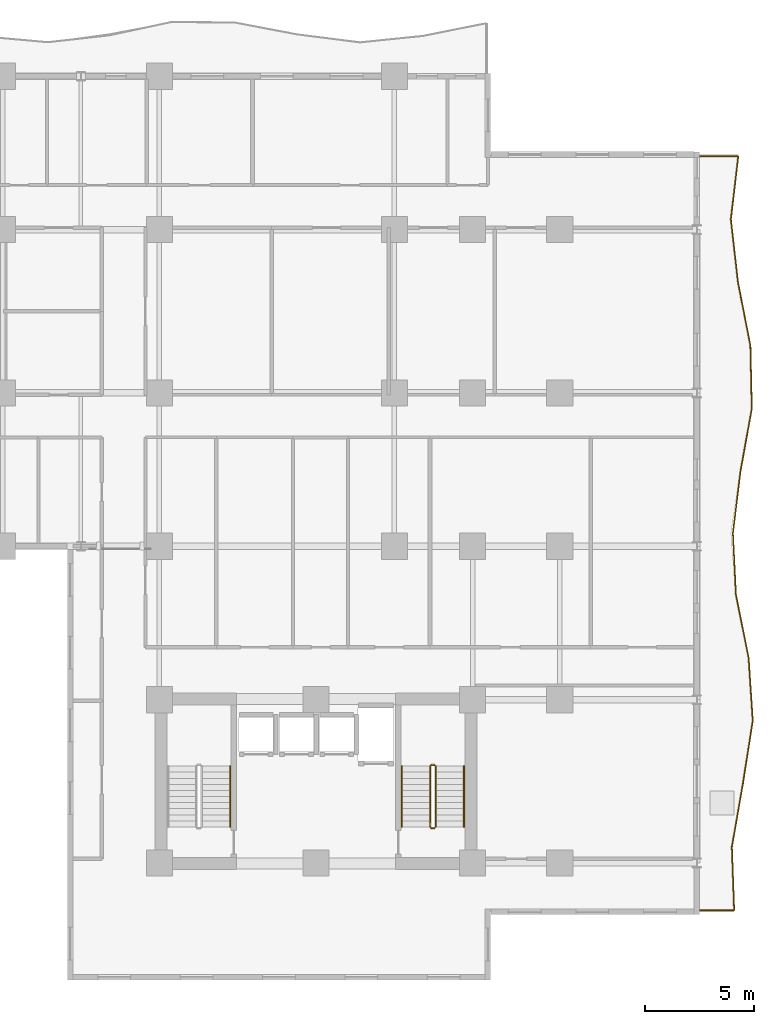
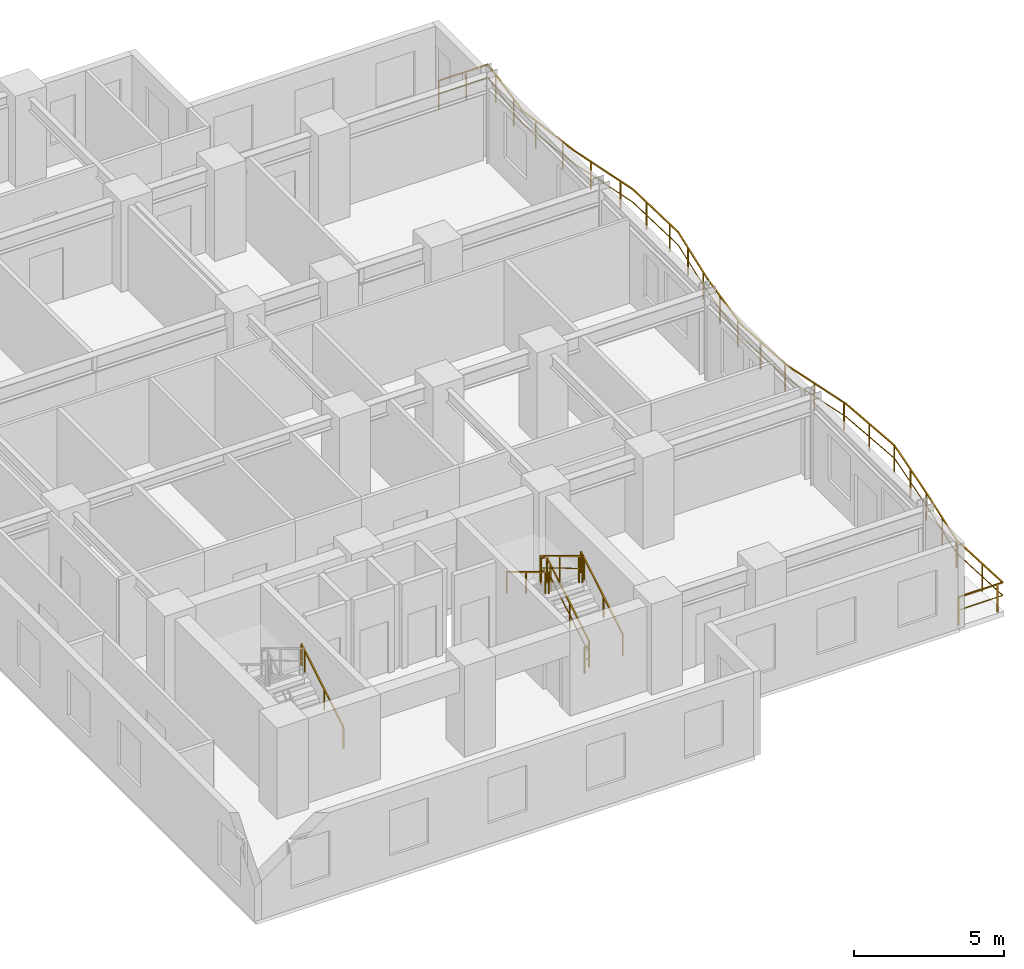
# One storey, part 10 of 11: 8 railings.
"""IFC4 building model written with IfcOpenShell, lengths in metres."""

from ifc_helpers import new_model, si_unit, direction, frame, origin, origin_2d, place, context, subcontext, project, spatial, rectangle, extrude, material, type_object, element, save


model = new_model("IFC4")

# Units and contexts
model_context = context("Model", 3, precision=1e-05, world=origin(), true_north=direction((0.0, 1.0)))
body_context = subcontext(model_context, "Body", "Model", "MODEL_VIEW")
ifc_project = project(units=[si_unit("LENGTHUNIT", "METRE"), si_unit("AREAUNIT", "SQUARE_METRE"), si_unit("VOLUMEUNIT", "CUBIC_METRE"), si_unit("PLANEANGLEUNIT", "RADIAN"), si_unit("MASSUNIT", "GRAM", prefix="KILO")], contexts=[model_context])

# Site, building, storey
site_placement = place(None, origin())
site = spatial("IfcSite", under=ifc_project, at=site_placement, CompositionType="ELEMENT")
building_placement = place(site_placement, origin())
building = spatial("IfcBuilding", under=site, at=building_placement, Name="Kaliganga Portal Commons", CompositionType="ELEMENT")
storey_placement = place(building_placement, frame((0.0, 0.0, 119.300048828125)))
storey = spatial("IfcBuildingStorey", under=building, at=storey_placement, Name="L30", CompositionType="ELEMENT", Elevation=119.300048828125)

# Railings
ifc_material_1 = material(Name="Laminated Safety Glass and Stainless Steel 316", Category="steel")
railing_type_1 = type_object("IfcRailingType", Name="RLG-BAL-1150", PredefinedType="BALUSTRADE", material=ifc_material_1)
railing_1_placement = place(storey_placement, frame((60.7080078125, 4.879638671875, 0.0)))
element("IfcRailing", 1, at=railing_1_placement, inside=storey, type_object=railing_type_1, Name="Balcony Guardrail L30 balc_east", PredefinedType="BALUSTRADE", context=body_context, shape_type="SweptSolid", body=[
    extrude(rectangle(XDim=0.048095703125, YDim=0.048095703125, at=origin_2d()), frame((0.0, 0.0, 1.1259765625), z_axis=(0.99999998979, 0.000142897969, 0.0), x_axis=(-0.000142897969, 0.99999998979, 0.0)), (0.0, 0.0, 1.0), 1.70849609375),
    extrude(rectangle(XDim=0.028076171875, YDim=0.028076171875, at=origin_2d()), frame((0.0, 0.0, 0.597900390625), z_axis=(0.99999998979, 0.000142897969, 0.0), x_axis=(-0.000142897969, 0.99999998979, 0.0)), (0.0, 0.0, 1.0), 1.70849609375),
    extrude(rectangle(XDim=0.048095703125, YDim=0.048095703125, at=origin_2d()), frame((1.70849609375, 0.000244140625, 1.1259765625), z_axis=(-0.035838566739, 0.999357592223, 0.0), x_axis=(-0.999357592223, -0.035838566739, 0.0)), (0.0, 0.0, 1.0), 2.902099609375),
    extrude(rectangle(XDim=0.028076171875, YDim=0.028076171875, at=origin_2d()), frame((1.70849609375, 0.000244140625, 0.597900390625), z_axis=(-0.035838566739, 0.999357592223, 0.0), x_axis=(-0.999357592223, -0.035838566739, 0.0)), (0.0, 0.0, 1.0), 2.902099609375),
    extrude(rectangle(XDim=0.048095703125, YDim=0.048095703125, at=origin_2d()), frame((1.6044921875, 2.900390625, 1.1259765625), z_axis=(0.171603686447, 0.985166064579, 0.0), x_axis=(-0.985166064579, 0.171603686447, 0.0)), (0.0, 0.0, 1.0), 2.943603515625),
    extrude(rectangle(XDim=0.028076171875, YDim=0.028076171875, at=origin_2d()), frame((1.6044921875, 2.900390625, 0.597900390625), z_axis=(0.171603686447, 0.985166064579, 0.0), x_axis=(-0.985166064579, 0.171603686447, 0.0)), (0.0, 0.0, 1.0), 2.943603515625),
    extrude(rectangle(XDim=0.048095703125, YDim=0.048095703125, at=origin_2d()), frame((2.109619140625, 5.80029296875, 1.1259765625), z_axis=(0.15471943378, 0.987958448929, 0.0), x_axis=(-0.987958448929, 0.15471943378, 0.0)), (0.0, 0.0, 1.0), 2.93505859375),
    extrude(rectangle(XDim=0.028076171875, YDim=0.028076171875, at=origin_2d()), frame((2.109619140625, 5.80029296875, 0.597900390625), z_axis=(0.15471943378, 0.987958448929, 0.0), x_axis=(-0.987958448929, 0.15471943378, 0.0)), (0.0, 0.0, 1.0), 2.93505859375),
    extrude(rectangle(XDim=0.048095703125, YDim=0.048095703125, at=origin_2d()), frame((2.563720703125, 8.699951171875, 1.1259765625), z_axis=(-0.065191888456, 0.997872746235, 0.0), x_axis=(-0.997872746235, -0.065191888456, 0.0)), (0.0, 0.0, 1.0), 2.906005859375),
    extrude(rectangle(XDim=0.028076171875, YDim=0.028076171875, at=origin_2d()), frame((2.563720703125, 8.699951171875, 0.597900390625), z_axis=(-0.065191888456, 0.997872746235, 0.0), x_axis=(-0.997872746235, -0.065191888456, 0.0)), (0.0, 0.0, 1.0), 2.906005859375),
    extrude(rectangle(XDim=0.048095703125, YDim=0.048095703125, at=origin_2d()), frame((2.374267578125, 11.599853515625, 1.1259765625), z_axis=(-0.197226878417, 0.980357872631, 0.0), x_axis=(-0.980357872631, -0.197226878417, 0.0)), (0.0, 0.0, 1.0), 2.95849609375),
    extrude(rectangle(XDim=0.028076171875, YDim=0.028076171875, at=origin_2d()), frame((2.374267578125, 11.599853515625, 0.597900390625), z_axis=(-0.197226878417, 0.980357872631, 0.0), x_axis=(-0.980357872631, -0.197226878417, 0.0)), (0.0, 0.0, 1.0), 2.95849609375),
    extrude(rectangle(XDim=0.048095703125, YDim=0.048095703125, at=origin_2d()), frame((1.790771484375, 14.500244140625, 1.1259765625), z_axis=(-0.050148923527, 0.998741751139, 0.0), x_axis=(-0.998741751139, -0.050148923527, 0.0)), (0.0, 0.0, 1.0), 2.82373046875),
    extrude(rectangle(XDim=0.028076171875, YDim=0.028076171875, at=origin_2d()), frame((1.790771484375, 14.500244140625, 0.597900390625), z_axis=(-0.050148923527, 0.998741751139, 0.0), x_axis=(-0.998741751139, -0.050148923527, 0.0)), (0.0, 0.0, 1.0), 2.82373046875),
    extrude(rectangle(XDim=0.048095703125, YDim=0.048095703125, at=origin_2d()), frame((1.649169921875, 17.3203125, 1.1259765625), z_axis=(0.122342693369, 0.992487916994, 0.0), x_axis=(-0.992487916994, 0.122342693369, 0.0)), (0.0, 0.0, 1.0), 2.841552734375),
    extrude(rectangle(XDim=0.028076171875, YDim=0.028076171875, at=origin_2d()), frame((1.649169921875, 17.3203125, 0.597900390625), z_axis=(0.122342693369, 0.992487916994, 0.0), x_axis=(-0.992487916994, 0.122342693369, 0.0)), (0.0, 0.0, 1.0), 2.841552734375),
    extrude(rectangle(XDim=0.048095703125, YDim=0.048095703125, at=origin_2d()), frame((1.996826171875, 20.140625, 1.1259765625), z_axis=(0.177441853143, 0.98413128634, 0.0), x_axis=(-0.98413128634, 0.177441853143, 0.0)), (0.0, 0.0, 1.0), 2.947265625),
    extrude(rectangle(XDim=0.028076171875, YDim=0.028076171875, at=origin_2d()), frame((1.996826171875, 20.140625, 0.597900390625), z_axis=(0.177441853143, 0.98413128634, 0.0), x_axis=(-0.98413128634, 0.177441853143, 0.0)), (0.0, 0.0, 1.0), 2.947265625),
    extrude(rectangle(XDim=0.048095703125, YDim=0.048095703125, at=origin_2d()), frame((2.519775390625, 23.041015625, 1.1259765625), z_axis=(-0.021969942146, 0.999758631692, 0.0), x_axis=(-0.999758631692, -0.021969942146, 0.0)), (0.0, 0.0, 1.0), 2.900390625),
    extrude(rectangle(XDim=0.028076171875, YDim=0.028076171875, at=origin_2d()), frame((2.519775390625, 23.041015625, 0.597900390625), z_axis=(-0.021969942146, 0.999758631692, 0.0), x_axis=(-0.999758631692, -0.021969942146, 0.0)), (0.0, 0.0, 1.0), 2.900390625),
    extrude(rectangle(XDim=0.048095703125, YDim=0.048095703125, at=origin_2d()), frame((2.4560546875, 25.940673828125, 1.1259765625), z_axis=(-0.192348936097, 0.981326595371, 0.0), x_axis=(-0.981326595371, -0.192348936097, 0.0)), (0.0, 0.0, 1.0), 2.954833984375),
    extrude(rectangle(XDim=0.028076171875, YDim=0.028076171875, at=origin_2d()), frame((2.4560546875, 25.940673828125, 0.597900390625), z_axis=(-0.192348936097, 0.981326595371, 0.0), x_axis=(-0.981326595371, -0.192348936097, 0.0)), (0.0, 0.0, 1.0), 2.954833984375),
    extrude(rectangle(XDim=0.048095703125, YDim=0.048095703125, at=origin_2d()), frame((1.8876953125, 28.84033203125, 1.1259765625), z_axis=(-0.113084221633, 0.9935854059, 0.0), x_axis=(-0.9935854059, -0.113084221633, 0.0)), (0.0, 0.0, 1.0), 2.9189453125),
    extrude(rectangle(XDim=0.028076171875, YDim=0.028076171875, at=origin_2d()), frame((1.8876953125, 28.84033203125, 0.597900390625), z_axis=(-0.113084221633, 0.9935854059, 0.0), x_axis=(-0.9935854059, -0.113084221633, 0.0)), (0.0, 0.0, 1.0), 2.9189453125),
    extrude(rectangle(XDim=0.048095703125, YDim=0.048095703125, at=origin_2d()), frame((1.5576171875, 31.740478515625, 1.1259765625), z_axis=(0.11664233955, 0.993173985072, 0.0), x_axis=(-0.993173985072, 0.11664233955, 0.0)), (0.0, 0.0, 1.0), 2.919921875),
    extrude(rectangle(XDim=0.028076171875, YDim=0.028076171875, at=origin_2d()), frame((1.5576171875, 31.740478515625, 0.597900390625), z_axis=(0.11664233955, 0.993173985072, 0.0), x_axis=(-0.993173985072, 0.11664233955, 0.0)), (0.0, 0.0, 1.0), 2.919921875),
    extrude(rectangle(XDim=0.048095703125, YDim=0.048095703125, at=origin_2d()), frame((1.898193359375, 34.640380859375, 1.1259765625), z_axis=(-0.999999966915, 0.000257234718, 0.0), x_axis=(-0.000257234718, -0.999999966915, 0.0)), (0.0, 0.0, 1.0), 1.898193359375),
    extrude(rectangle(XDim=0.028076171875, YDim=0.028076171875, at=origin_2d()), frame((1.898193359375, 34.640380859375, 0.597900390625), z_axis=(-0.999999966915, 0.000257234718, 0.0), x_axis=(-0.000257234718, -0.999999966915, 0.0)), (0.0, 0.0, 1.0), 1.898193359375),
    extrude(rectangle(XDim=0.0419921875, YDim=0.0419921875, at=origin_2d()), origin(), (0.0, 0.0, 1.0), 1.101806640625),
    extrude(rectangle(XDim=0.0419921875, YDim=0.0419921875, at=origin_2d()), frame((1.5, 0.000244140625, 0.0)), (0.0, 0.0, 1.0), 1.101806640625),
    extrude(rectangle(XDim=0.0419921875, YDim=0.0419921875, at=origin_2d()), frame((1.662109375, 1.291015625, 0.0)), (0.0, 0.0, 1.0), 1.101806640625),
    extrude(rectangle(XDim=0.0419921875, YDim=0.0419921875, at=origin_2d()), frame((1.6044921875, 2.900390625, 0.0)), (0.0, 0.0, 1.0), 1.101806640625),
    extrude(rectangle(XDim=0.0419921875, YDim=0.0419921875, at=origin_2d()), frame((1.843017578125, 4.269287109375, 0.0)), (0.0, 0.0, 1.0), 1.101806640625),
    extrude(rectangle(XDim=0.0419921875, YDim=0.0419921875, at=origin_2d()), frame((2.109619140625, 5.80029296875, 0.0)), (0.0, 0.0, 1.0), 1.101806640625),
    extrude(rectangle(XDim=0.0419921875, YDim=0.0419921875, at=origin_2d()), frame((2.333251953125, 7.228759765625, 0.0)), (0.0, 0.0, 1.0), 1.101806640625),
    extrude(rectangle(XDim=0.0419921875, YDim=0.0419921875, at=origin_2d()), frame((2.56298828125, 8.7109375, 0.0)), (0.0, 0.0, 1.0), 1.101806640625),
    extrude(rectangle(XDim=0.0419921875, YDim=0.0419921875, at=origin_2d()), frame((2.46533203125, 10.207763671875, 0.0)), (0.0, 0.0, 1.0), 1.101806640625),
    extrude(rectangle(XDim=0.0419921875, YDim=0.0419921875, at=origin_2d()), frame((2.353515625, 11.70263671875, 0.0)), (0.0, 0.0, 1.0), 1.101806640625),
    extrude(rectangle(XDim=0.0419921875, YDim=0.0419921875, at=origin_2d()), frame((2.057861328125, 13.173095703125, 0.0)), (0.0, 0.0, 1.0), 1.101806640625),
    extrude(rectangle(XDim=0.0419921875, YDim=0.0419921875, at=origin_2d()), frame((1.783447265625, 14.646484375, 0.0)), (0.0, 0.0, 1.0), 1.101806640625),
    extrude(rectangle(XDim=0.0419921875, YDim=0.0419921875, at=origin_2d()), frame((1.708251953125, 16.14453125, 0.0)), (0.0, 0.0, 1.0), 1.101806640625),
    extrude(rectangle(XDim=0.0419921875, YDim=0.0419921875, at=origin_2d()), frame((1.688720703125, 17.640625, 0.0)), (0.0, 0.0, 1.0), 1.101806640625),
    extrude(rectangle(XDim=0.0419921875, YDim=0.0419921875, at=origin_2d()), frame((1.8720703125, 19.12939453125, 0.0)), (0.0, 0.0, 1.0), 1.101806640625),
    extrude(rectangle(XDim=0.0419921875, YDim=0.0419921875, at=origin_2d()), frame((2.082275390625, 20.614013671875, 0.0)), (0.0, 0.0, 1.0), 1.101806640625),
    extrude(rectangle(XDim=0.0419921875, YDim=0.0419921875, at=origin_2d()), frame((2.348388671875, 22.09033203125, 0.0)), (0.0, 0.0, 1.0), 1.101806640625),
    extrude(rectangle(XDim=0.0419921875, YDim=0.0419921875, at=origin_2d()), frame((2.508056640625, 23.57470703125, 0.0)), (0.0, 0.0, 1.0), 1.101806640625),
    extrude(rectangle(XDim=0.0419921875, YDim=0.0419921875, at=origin_2d()), frame((2.47509765625, 25.074462890625, 0.0)), (0.0, 0.0, 1.0), 1.101806640625),
    extrude(rectangle(XDim=0.0419921875, YDim=0.0419921875, at=origin_2d()), frame((2.334228515625, 26.5625, 0.0)), (0.0, 0.0, 1.0), 1.101806640625),
    extrude(rectangle(XDim=0.0419921875, YDim=0.0419921875, at=origin_2d()), frame((2.045654296875, 28.034423828125, 0.0)), (0.0, 0.0, 1.0), 1.101806640625),
    extrude(rectangle(XDim=0.0419921875, YDim=0.0419921875, at=origin_2d()), frame((1.81103515625, 29.5146484375, 0.0)), (0.0, 0.0, 1.0), 1.101806640625),
    extrude(rectangle(XDim=0.0419921875, YDim=0.0419921875, at=origin_2d()), frame((1.641357421875, 31.005126953125, 0.0)), (0.0, 0.0, 1.0), 1.101806640625),
    extrude(rectangle(XDim=0.0419921875, YDim=0.0419921875, at=origin_2d()), frame((1.646240234375, 32.4951171875, 0.0)), (0.0, 0.0, 1.0), 1.101806640625),
    extrude(rectangle(XDim=0.0419921875, YDim=0.0419921875, at=origin_2d()), frame((1.8212890625, 33.98486328125, 0.0)), (0.0, 0.0, 1.0), 1.101806640625),
    extrude(rectangle(XDim=0.0419921875, YDim=0.0419921875, at=origin_2d()), frame((1.05810546875, 34.640625, 0.0)), (0.0, 0.0, 1.0), 1.101806640625),
    extrude(rectangle(XDim=0.0419921875, YDim=0.0419921875, at=origin_2d()), frame((0.0, 34.640869140625, 0.0)), (0.0, 0.0, 1.0), 1.101806640625),
])
ifc_material_2 = material(Name="Galvanized Painted Steel Balustrade", Category="steel")
railing_type_2 = type_object("IfcRailingType", Name="RLG-STAIR-GRD", PredefinedType="GUARDRAIL", material=ifc_material_2)
railing_2_placement = place(storey_placement, frame((48.699951171875, 8.699951171875, 0.168212890625)))
element("IfcRailing", 2, at=railing_2_placement, inside=storey, type_object=railing_type_2, Name="L30 ST-B2 stair guard 1", PredefinedType="GUARDRAIL", context=body_context, shape_type="SweptSolid", body=[
    extrude(rectangle(XDim=0.048095703125, YDim=0.048095703125, at=origin_2d()), frame((0.0, 0.0, 1.072021484375), z_axis=(0.0, 0.857275202839, 0.514858452973), x_axis=(-1.0, 0.0, 0.0)), (0.0, 0.0, 1.0), 3.26611328125),
    extrude(rectangle(XDim=0.028076171875, YDim=0.028076171875, at=origin_2d()), frame((0.0, 0.0, 0.572021484375), z_axis=(0.0, 0.857275202839, 0.514858452973), x_axis=(-1.0, 0.0, 0.0)), (0.0, 0.0, 1.0), 3.26611328125),
    extrude(rectangle(XDim=0.0419921875, YDim=0.0419921875, at=origin_2d()), origin(), (0.0, 0.0, 1.0), 1.052001953125),
    extrude(rectangle(XDim=0.0419921875, YDim=0.0419921875, at=origin_2d()), frame((0.0, 1.285888671875, 0.772216796875)), (0.0, 0.0, 1.0), 1.052001953125),
    extrude(rectangle(XDim=0.0419921875, YDim=0.0419921875, at=origin_2d()), frame((0.0, 2.57177734375, 1.544677734375)), (0.0, 0.0, 1.0), 1.052001953125),
    extrude(rectangle(XDim=0.0419921875, YDim=0.0419921875, at=origin_2d()), frame((0.0, 2.800048828125, 1.681640625)), (0.0, 0.0, 1.0), 1.052001953125),
])
railing_3_placement = place(storey_placement, frame((48.64990234375, 11.550048828125, 1.849853515625)))
element("IfcRailing", 3, at=railing_3_placement, inside=storey, type_object=railing_type_2, Name="L30 ST-B2 stair guard 2", PredefinedType="GUARDRAIL", context=body_context, shape_type="SweptSolid", body=[
    extrude(rectangle(XDim=0.048095703125, YDim=0.048095703125, at=origin_2d()), frame((0.0, 0.0, 1.076171875), z_axis=(-1.0, 0.0, 0.0), x_axis=(0.0, -1.0, 0.0)), (0.0, 0.0, 1.0), 0.14990234375),
    extrude(rectangle(XDim=0.028076171875, YDim=0.028076171875, at=origin_2d()), frame((0.0, 0.0, 0.572021484375), z_axis=(-1.0, 0.0, 0.0), x_axis=(0.0, -1.0, 0.0)), (0.0, 0.0, 1.0), 0.14990234375),
    extrude(rectangle(XDim=0.0419921875, YDim=0.0419921875, at=origin_2d()), frame((-0.14990234375, 0.0, 0.0)), (0.0, 0.0, 1.0), 1.052001953125),
])
railing_4_placement = place(storey_placement, frame((48.449951171875, 11.5, 2.01806640625)))
element("IfcRailing", 4, at=railing_4_placement, inside=storey, type_object=railing_type_2, Name="L30 ST-B2 stair guard 3", PredefinedType="GUARDRAIL", context=body_context, shape_type="SweptSolid", body=[
    extrude(rectangle(XDim=0.048095703125, YDim=0.048095703125, at=origin_2d()), frame((0.0, 0.0, 1.072021484375), z_axis=(0.0, -0.857242210791, 0.514913383045), x_axis=(1.0, 0.0, 0.0)), (0.0, 0.0, 1.0), 3.266357421875),
    extrude(rectangle(XDim=0.028076171875, YDim=0.028076171875, at=origin_2d()), frame((0.0, 0.0, 0.572021484375), z_axis=(0.0, -0.857242210791, 0.514913383045), x_axis=(1.0, 0.0, 0.0)), (0.0, 0.0, 1.0), 3.266357421875),
    extrude(rectangle(XDim=0.0419921875, YDim=0.0419921875, at=origin_2d()), origin(), (0.0, 0.0, 1.0), 1.052001953125),
    extrude(rectangle(XDim=0.0419921875, YDim=0.0419921875, at=origin_2d()), frame((0.0, -1.285888671875, 0.7724609375)), (0.0, 0.0, 1.0), 1.052001953125),
    extrude(rectangle(XDim=0.0419921875, YDim=0.0419921875, at=origin_2d()), frame((0.0, -2.57177734375, 1.544677734375)), (0.0, 0.0, 1.0), 1.052001953125),
    extrude(rectangle(XDim=0.0419921875, YDim=0.0419921875, at=origin_2d()), frame((0.0, -2.800048828125, 1.681884765625)), (0.0, 0.0, 1.0), 1.052001953125),
])
railing_5_placement = place(storey_placement, frame((48.64990234375, 8.64990234375, 0.0)))
element("IfcRailing", 5, at=railing_5_placement, inside=storey, type_object=railing_type_2, Name="L30 ST-B2 stair guard 4", PredefinedType="GUARDRAIL", context=body_context, shape_type="SweptSolid", body=[
    extrude(rectangle(XDim=0.048095703125, YDim=0.048095703125, at=origin_2d()), frame((0.0, 0.0, 1.076171875), z_axis=(-1.0, 0.0, 0.0), x_axis=(0.0, -1.0, 0.0)), (0.0, 0.0, 1.0), 0.14990234375),
    extrude(rectangle(XDim=0.028076171875, YDim=0.028076171875, at=origin_2d()), frame((0.0, 0.0, 0.572021484375), z_axis=(-1.0, 0.0, 0.0), x_axis=(0.0, -1.0, 0.0)), (0.0, 0.0, 1.0), 0.14990234375),
    extrude(rectangle(XDim=0.0419921875, YDim=0.0419921875, at=origin_2d()), frame((-0.14990234375, 0.0, 0.0)), (0.0, 0.0, 1.0), 1.052001953125),
])
ifc_material_3 = material(Name="Brushed Stainless Steel 316", Category="steel")
railing_type_3 = type_object("IfcRailingType", Name="RLG-STAIR-HR", PredefinedType="HANDRAIL", material=ifc_material_3)
for number, where, name in (
    (6, (39.25, 8.699951171875, 0.168212890625), "L30 ST-B1 stair handrail 1"),
    (7, (50.0, 8.699951171875, 0.168212890625), "L30 ST-B2 stair handrail 1"),
):
    element("IfcRailing", number, at=place(storey_placement, frame(where)), inside=storey, type_object=railing_type_3, Name=name, PredefinedType="HANDRAIL", context=body_context, shape_type="SweptSolid", body=[
        extrude(rectangle(XDim=0.048095703125, YDim=0.048095703125, at=origin_2d()), frame((0.0, 0.0, 0.871826171875), z_axis=(0.0, 0.857275202839, 0.514858452973), x_axis=(-1.0, 0.0, 0.0)), (0.0, 0.0, 1.0), 3.26611328125),
        extrude(rectangle(XDim=0.0419921875, YDim=0.0419921875, at=origin_2d()), origin(), (0.0, 0.0, 1.0), 0.851806640625),
        extrude(rectangle(XDim=0.0419921875, YDim=0.0419921875, at=origin_2d()), frame((0.0, 1.285888671875, 0.772216796875)), (0.0, 0.0, 1.0), 0.851806640625),
        extrude(rectangle(XDim=0.0419921875, YDim=0.0419921875, at=origin_2d()), frame((0.0, 2.57177734375, 1.544677734375)), (0.0, 0.0, 1.0), 0.851806640625),
        extrude(rectangle(XDim=0.0419921875, YDim=0.0419921875, at=origin_2d()), frame((0.0, 2.800048828125, 1.681640625)), (0.0, 0.0, 1.0), 0.851806640625),
    ])
railing_6_placement = place(storey_placement, frame((47.14990234375, 11.5, 2.01806640625)))
element("IfcRailing", 8, at=railing_6_placement, inside=storey, type_object=railing_type_3, Name="L30 ST-B2 stair handrail 2", PredefinedType="HANDRAIL", context=body_context, shape_type="SweptSolid", body=[
    extrude(rectangle(XDim=0.048095703125, YDim=0.048095703125, at=origin_2d()), frame((0.0, 0.0, 0.871826171875), z_axis=(0.0, -0.857242210791, 0.514913383045), x_axis=(1.0, 0.0, 0.0)), (0.0, 0.0, 1.0), 3.266357421875),
    extrude(rectangle(XDim=0.0419921875, YDim=0.0419921875, at=origin_2d()), origin(), (0.0, 0.0, 1.0), 0.851806640625),
    extrude(rectangle(XDim=0.0419921875, YDim=0.0419921875, at=origin_2d()), frame((0.0, -1.285888671875, 0.7724609375)), (0.0, 0.0, 1.0), 0.851806640625),
    extrude(rectangle(XDim=0.0419921875, YDim=0.0419921875, at=origin_2d()), frame((0.0, -2.57177734375, 1.544677734375)), (0.0, 0.0, 1.0), 0.851806640625),
    extrude(rectangle(XDim=0.0419921875, YDim=0.0419921875, at=origin_2d()), frame((0.0, -2.800048828125, 1.681884765625)), (0.0, 0.0, 1.0), 0.851806640625),
])

save(model, "model.ifc")
